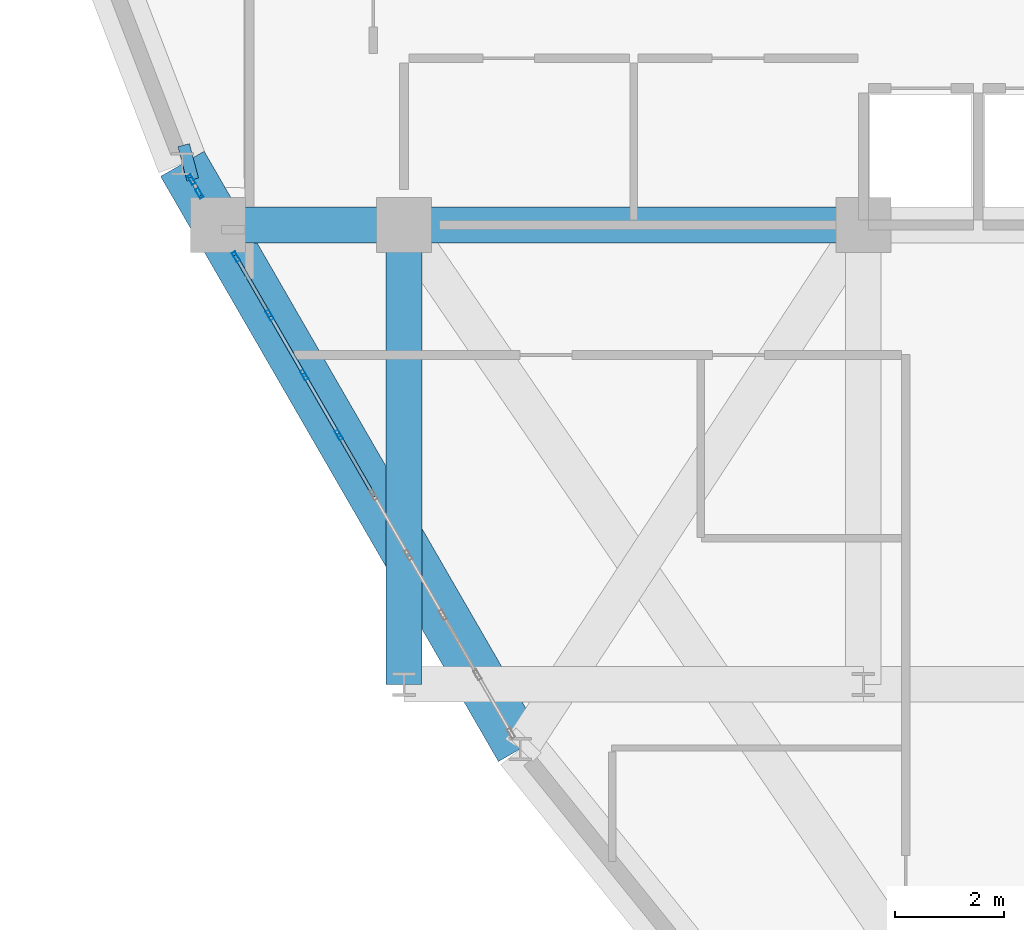
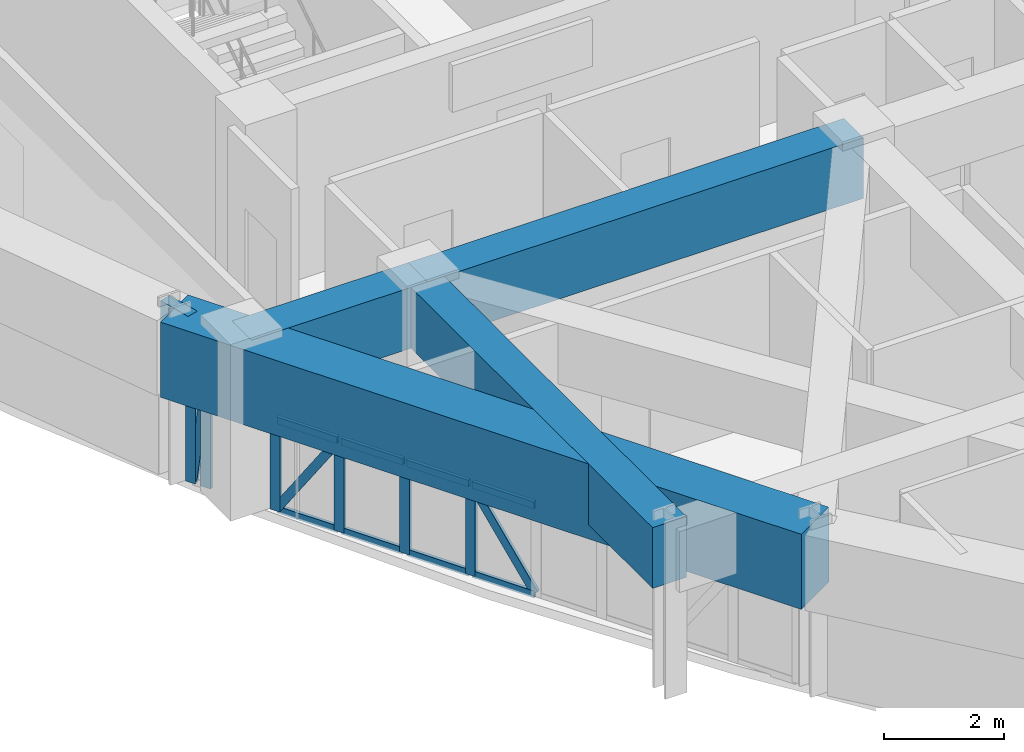
# One storey, part 4 of 16: 17 members, 5 beams, 2 elements without a shape of their own.
"""IFC4 building model written with IfcOpenShell, lengths in metres."""

import ifcopenshell
import ifcopenshell.guid

model = None  # the IFC model being written
_history = None  # IfcOwnerHistory: only IFC2X3 demands one
_inside = {}  # id of a spatial element -> (the spatial element, [elements in it])
_under = {}  # id of a project, library or spatial element -> (it, [spatial elements below it])
_declared = {}  # id of a project -> (the project, [libraries it declares])
_typed = {}  # id of a type object -> (the type object, [elements of that type])
_made_of = {}  # id of a material, layer set ... -> (it, [elements and type objects made of it])


def new_model(schema):
    """Start an empty IFC model of exactly this schema.

    Asked for "IFC4X3", IfcOpenShell would pick the latest addendum, in which some entities
    have other attributes; the version numbers below select the first issue.
    IFC2X3 requires an IfcOwnerHistory on every rooted entity: one is made here for all.
    """
    global model, _history
    if schema == "IFC4X3":
        model = ifcopenshell.file(schema_version=(4, 3, 0, 0))
    else:
        model = ifcopenshell.file(schema=schema)
    _inside.clear()
    _under.clear()
    _declared.clear()
    _typed.clear()
    _made_of.clear()
    _history = None
    if model.schema == "IFC2X3":
        org = make("IfcOrganization", Name="unknown")
        user = make(
            "IfcPersonAndOrganization",
            ThePerson=make("IfcPerson", FamilyName="unknown"),
            TheOrganization=org,
        )
        app = make(
            "IfcApplication",
            ApplicationDeveloper=org,
            Version="unknown",
            ApplicationFullName="unknown",
            ApplicationIdentifier="unknown",
        )
        _history = make(
            "IfcOwnerHistory",
            OwningUser=user,
            OwningApplication=app,
            ChangeAction="ADDED",
            CreationDate=0,
        )
    return model


def make(cls, **values):
    """One entity of the class cls with the attributes given. An attribute that is None is left unset."""
    return model.create_entity(
        cls, **{name: value for name, value in values.items() if value is not None}
    )


def rooted(cls, **values):
    """An entity with a GlobalId (a new one), such as an element, a storey or a relation."""
    return make(cls, GlobalId=ifcopenshell.guid.new(), OwnerHistory=_history, **values)


def si_unit(unit_type, name, prefix=None):
    """IfcSIUnit, for example si_unit("LENGTHUNIT", "METRE", prefix="MILLI")."""
    return make("IfcSIUnit", UnitType=unit_type, Prefix=prefix, Name=name)


def derived_unit(unit_type, elements):
    """IfcDerivedUnit: a product of units, each with its exponent."""
    return make(
        "IfcDerivedUnit",
        Elements=[
            make("IfcDerivedUnitElement", Unit=unit, Exponent=power)
            for unit, power in elements
        ],
        UnitType=unit_type,
    )


def assignment(units):
    """IfcUnitAssignment: the units of a project."""
    return None if units is None else make("IfcUnitAssignment", Units=units)


def point(xyz):
    """IfcCartesianPoint."""
    return None if xyz is None else make("IfcCartesianPoint", Coordinates=xyz)


def direction(xyz):
    """IfcDirection."""
    return None if xyz is None else make("IfcDirection", DirectionRatios=xyz)


def frame(location, z_axis=None, x_axis=None):
    """IfcAxis2Placement3D, a coordinate frame: its origin and axes. An axis left out is left unset."""
    return make(
        "IfcAxis2Placement3D",
        Location=point(location),
        Axis=direction(z_axis),
        RefDirection=direction(x_axis),
    )


def frame_2d(location, x_axis=None):
    """IfcAxis2Placement2D, a coordinate frame in the plane: its origin and x axis."""
    return make(
        "IfcAxis2Placement2D", Location=point(location), RefDirection=direction(x_axis)
    )


def origin():
    """The frame at (0, 0, 0) with its axes left unset."""
    return frame((0.0, 0.0, 0.0))


def origin_2d():
    """The frame at (0, 0) in the plane with its x axis left unset."""
    return frame_2d((0.0, 0.0))


def place(relative_to, where):
    """IfcLocalPlacement: puts the frame where relative to a parent placement (None: the world)."""
    return make(
        "IfcLocalPlacement", PlacementRelTo=relative_to, RelativePlacement=where
    )


def context(
    kind, dimensions, precision=None, world=None, true_north=None, identifier=None
):
    """IfcGeometricRepresentationContext, for example the 3D "Model" context."""
    return make(
        "IfcGeometricRepresentationContext",
        ContextIdentifier=identifier,
        ContextType=kind,
        CoordinateSpaceDimension=dimensions,
        Precision=precision,
        WorldCoordinateSystem=world,
        TrueNorth=true_north,
    )


def subcontext(parent, identifier, kind, view, scale=None):
    """IfcGeometricRepresentationSubContext, for example "Body" below "Model"."""
    return make(
        "IfcGeometricRepresentationSubContext",
        ContextIdentifier=identifier,
        ContextType=kind,
        ParentContext=parent,
        TargetScale=scale,
        TargetView=view,
    )


def project(units=None, contexts=None):
    """IfcProject with its units and contexts."""
    return rooted(
        "IfcProject",
        Name="project",
        RepresentationContexts=contexts,
        UnitsInContext=assignment(units),
    )


def spatial(cls, under=None, at=None, **own):
    """A site, building, storey or space (cls), placed at a placement, below another one or the project."""
    s = rooted(cls, ObjectPlacement=at, **own)
    if under is not None:
        _under.setdefault(under.id(), (under, []))[1].append(s)
    return s


def profile(cls, at=None, kind="AREA", **sizes):
    """A parametric profile (cls). Its sizes go by their IFC names, for example OverallWidth=200.0."""
    return make(cls, ProfileType=kind, Position=at, **sizes)


def rectangle(**sizes):
    """IfcRectangleProfileDef."""
    return profile("IfcRectangleProfileDef", **sizes)


def hollow_rectangle(**sizes):
    """IfcRectangleHollowProfileDef."""
    return profile("IfcRectangleHollowProfileDef", **sizes)


def extrude(swept, where, along, depth):
    """IfcExtrudedAreaSolid: the profile swept, set in the frame where, extruded along a direction by depth."""
    return make(
        "IfcExtrudedAreaSolid",
        SweptArea=swept,
        Position=where,
        ExtrudedDirection=direction(along),
        Depth=depth,
    )


def shape(context_of_items, identifier, shape_type, items):
    """IfcShapeRepresentation: the items that make up one representation, for example the "Body"."""
    return make(
        "IfcShapeRepresentation",
        ContextOfItems=context_of_items,
        RepresentationIdentifier=identifier,
        RepresentationType=shape_type,
        Items=items,
    )


def source(mapping_origin, context_of_items, identifier, shape_type, items):
    """IfcRepresentationMap: a shape defined once, which mapped items show again and again."""
    return make(
        "IfcRepresentationMap",
        MappingOrigin=mapping_origin,
        MappedRepresentation=shape(context_of_items, identifier, shape_type, items),
    )


def transform(
    local_origin,
    x_axis=None,
    y_axis=None,
    z_axis=None,
    scale=None,
    scale2=None,
    scale3=None,
    uniform=True,
):
    """IfcCartesianTransformationOperator3D, or its non-uniform kind. x_axis, y_axis, z_axis: its Axis1, 2, 3."""
    if uniform:
        return make(
            "IfcCartesianTransformationOperator3D",
            Axis1=direction(x_axis),
            Axis2=direction(y_axis),
            LocalOrigin=point(local_origin),
            Scale=scale,
            Axis3=direction(z_axis),
        )
    return make(
        "IfcCartesianTransformationOperator3DnonUniform",
        Axis1=direction(x_axis),
        Axis2=direction(y_axis),
        LocalOrigin=point(local_origin),
        Scale=scale,
        Axis3=direction(z_axis),
        Scale2=scale2,
        Scale3=scale3,
    )


def mapped(mapping_source, mapping_target):
    """IfcMappedItem: shows the shape of a source again, moved by a transform."""
    return make(
        "IfcMappedItem", MappingSource=mapping_source, MappingTarget=mapping_target
    )


def material(Name=None, Category=None):
    """IfcMaterial."""
    return make("IfcMaterial", Name=Name, Category=Category)


def layer(
    of_material, thickness, ventilated=None, Name=None, Category=None, Priority=None
):
    """IfcMaterialLayer: one layer of a wall or slab, of a material (None: an air gap)."""
    return make(
        "IfcMaterialLayer",
        Material=of_material,
        LayerThickness=thickness,
        IsVentilated=ventilated,
        Name=Name,
        Category=Category,
        Priority=Priority,
    )


def layer_set(layers, Name=None):
    """IfcMaterialLayerSet."""
    return make("IfcMaterialLayerSet", MaterialLayers=layers, LayerSetName=Name)


def material_profile(
    of_material, cross_section, Name=None, Category=None, Priority=None
):
    """IfcMaterialProfile: a cross section and its material."""
    return make(
        "IfcMaterialProfile",
        Name=Name,
        Material=of_material,
        Profile=cross_section,
        Priority=Priority,
        Category=Category,
    )


def profile_set(profiles, Name=None, composite=None):
    """IfcMaterialProfileSet."""
    return make(
        "IfcMaterialProfileSet",
        Name=Name,
        MaterialProfiles=profiles,
        CompositeProfile=composite,
    )


def made_of(thing, what):
    """Note that an element or type object is made of a material, layer set ...; save() writes the relation."""
    if what is not None:
        _made_of.setdefault(what.id(), (what, []))[1].append(thing)
    return thing


def type_object(cls, material=None, **own):
    """A type object (cls), such as IfcWallType, which elements share."""
    return made_of(rooted(cls, **own), material)


def element(
    cls,
    number,
    at=None,
    inside=None,
    cuts=None,
    type_object=None,
    material=None,
    context=None,
    identifier="Body",
    shape_type=None,
    held_by="IfcProductDefinitionShape",
    body=None,
    shapes=None,
    **own,
):
    """One element of the class cls, such as IfcWall. Its Tag is "e" and its number.

    at: its placement. inside: the storey or other place that contains it. cuts: it is an
    opening in that element (IfcRelVoidsElement). A single representation is given by context,
    identifier, shape_type and body (its items); several are given by shapes. held_by: the class
    of the entity that holds the representations. save() writes the other relations.
    """
    e = rooted(cls, Tag="e%d" % number, ObjectPlacement=at, **own)
    if body is not None:
        shapes = [shape(context, identifier, shape_type, body)]
    if shapes is not None:
        e.Representation = make(held_by, Representations=shapes)
    if inside is not None:
        _inside.setdefault(inside.id(), (inside, []))[1].append(e)
    if cuts is not None:
        rooted(
            "IfcRelVoidsElement", RelatingBuildingElement=cuts, RelatedOpeningElement=e
        )
    if type_object is not None:
        _typed.setdefault(type_object.id(), (type_object, []))[1].append(e)
    return made_of(e, material)


def aggregate(whole, parts):
    """IfcRelAggregates: a whole, such as a stair, and the parts it consists of."""
    return rooted("IfcRelAggregates", RelatingObject=whole, RelatedObjects=parts)


def save(model, path):
    """Write the relations noted so far, then the file.

    IfcRelAggregates (storeys below a building ...), IfcRelContainedInSpatialStructure (elements
    in a storey), IfcRelDefinesByType, IfcRelAssociatesMaterial and IfcRelDeclares: one each for
    every whole, place, type object, material and project.
    """
    for whole, parts in _under.values():
        aggregate(whole, parts)
    for where, things in _inside.values():
        rooted(
            "IfcRelContainedInSpatialStructure",
            RelatedElements=things,
            RelatingStructure=where,
        )
    for kind, things in _typed.values():
        rooted("IfcRelDefinesByType", RelatedObjects=things, RelatingType=kind)
    for what, things in _made_of.values():
        rooted("IfcRelAssociatesMaterial", RelatedObjects=things, RelatingMaterial=what)
    for by, libraries in _declared.values():
        rooted("IfcRelDeclares", RelatingContext=by, RelatedDefinitions=libraries)
    model.write(path)


model = new_model("IFC4")

# Units and contexts
model_context = context("Model", 3, precision=1e-05, world=origin(), true_north=direction((0.0, 1.0)))
body_context = subcontext(model_context, "Body", "Model", "MODEL_VIEW")
ifc_project = project(units=[si_unit("LENGTHUNIT", "METRE"), si_unit("AREAUNIT", "SQUARE_METRE"), si_unit("VOLUMEUNIT", "CUBIC_METRE"), si_unit("PLANEANGLEUNIT", "RADIAN"), si_unit("MASSUNIT", "GRAM", prefix="KILO"), derived_unit("THERMALTRANSMITTANCEUNIT", [(si_unit("POWERUNIT", "WATT"), 1), (si_unit("LENGTHUNIT", "METRE"), -2), (si_unit("THERMODYNAMICTEMPERATUREUNIT", "KELVIN"), -1)])], contexts=[model_context])

# Site, building, storey
site_placement = place(None, origin())
site = spatial("IfcSite", under=ifc_project, at=site_placement, CompositionType="ELEMENT")
building_placement = place(site_placement, origin())
building = spatial("IfcBuilding", under=site, at=building_placement, Name="Korsvarv Bourse and Concert Hall", CompositionType="ELEMENT")
storey_placement = place(building_placement, frame((0.0, 0.0, 213.0)))
storey = spatial("IfcBuildingStorey", under=building, at=storey_placement, Name="L55", CompositionType="ELEMENT", Elevation=213.0)

# Beams
ifc_material_1 = material(Name="Concrete C50/60", Category="concrete")
ifc_material_profile_1 = material_profile(ifc_material_1, rectangle(XDim=0.64990234375, YDim=1.239990234375, at=origin_2d()), Name="RC-BM 650x1240")
ifc_profile_set_1 = profile_set([ifc_material_profile_1], Name="Concrete C50/60")
beam_type_1 = type_object("IfcBeamType", Name="BM-TR-SPN", PredefinedType="BEAM", material=ifc_profile_set_1)
shared_shape_1 = source(origin(), body_context, "Body", "SweptSolid", [
    extrude(rectangle(XDim=0.64990234375, YDim=1.239990234375, at=origin_2d()), origin(), (0.0, 0.0, 1.0), 3.400146484375),
])
beam_1_placement = place(storey_placement, frame((24.199951171875, 32.39990234375, 2.7900390625), z_axis=(1.0, 0.0, 0.0), x_axis=(0.0, 1.0, 0.0)))
element("IfcBeam", 1, at=beam_1_placement, inside=storey, type_object=beam_type_1, Name="L55 beam B-TRS", PredefinedType="BEAM", context=body_context, shape_type="MappedRepresentation", body=[
    mapped(shared_shape_1, transform((0.0, 0.0, 0.0), scale=1.0)),
])
shared_shape_2 = source(origin(), body_context, "Body", "SweptSolid", [
    extrude(rectangle(XDim=0.64990234375, YDim=1.239990234375, at=origin_2d()), origin(), (0.0, 0.0, 1.0), 8.39990234375),
])
for number, where, z_axis, x_axis, name in (
    (2, (27.60009765625, 32.39990234375, 2.7900390625), (1.0, 0.0, 0.0), (0.0, 1.0, 0.0), "L55 beam B-TRS"),
    (3, (27.60009765625, 24.0, 2.7900390625), (0.0, 1.0, 0.0), (-1.0, 0.0, 0.0), "L55 beam B-TRS"),
):
    element("IfcBeam", number, at=place(storey_placement, frame(where, z_axis=z_axis, x_axis=x_axis)), inside=storey, type_object=beam_type_1, Name=name, PredefinedType="BEAM", context=body_context, shape_type="MappedRepresentation", body=[
        mapped(shared_shape_2, transform((0.0, 0.0, 0.0), scale=1.0)),
    ])
ifc_material_profile_2 = material_profile(ifc_material_1, rectangle(XDim=0.919921875, YDim=1.530029296875, at=origin_2d()), Name="RC-BM 920x1530")
ifc_profile_set_2 = profile_set([ifc_material_profile_2], Name="Concrete C50/60")
beam_type_2 = type_object("IfcBeamType", Name="BM-TR-154", PredefinedType="BEAM", material=ifc_profile_set_2)
shared_shape_3 = source(origin(), body_context, "Body", "SweptSolid", [
    extrude(rectangle(XDim=0.919921875, YDim=1.530029296875, at=origin_2d()), origin(), (0.0, 0.0, 1.0), 12.353271484375),
])
beam_2_placement = place(storey_placement, frame((23.548095703125, 33.518310546875, 2.64501953125), z_axis=(0.500007577232, -0.866021029023, 0.0), x_axis=(0.866021029023, 0.500007577232, 0.0)))
element("IfcBeam", 4, at=beam_2_placement, inside=storey, type_object=beam_type_2, Name="L55 beam B-TR6", PredefinedType="BEAM", context=body_context, shape_type="MappedRepresentation", body=[
    mapped(shared_shape_3, transform((0.0, 0.0, 0.0), scale=1.0)),
])
shared_shape_4 = source(origin(), body_context, "Body", "SweptSolid", [
    extrude(rectangle(XDim=0.64990234375, YDim=1.239990234375, at=origin_2d()), origin(), (0.0, 0.0, 1.0), 0.2197265625),
])
beam_3_placement = place(storey_placement, frame((23.548095703125, 33.518310546875, 2.7900390625), z_axis=(0.967060137226, 0.254548013132, 0.0), x_axis=(-0.254548013132, 0.967060137226, 0.0)))
element("IfcBeam", 5, at=beam_3_placement, inside=storey, type_object=beam_type_1, Name="L55 beam B-TRS", PredefinedType="BEAM", context=body_context, shape_type="MappedRepresentation", body=[
    mapped(shared_shape_4, transform((0.0, 0.0, 0.0), scale=1.0)),
])

# Curtain wall, members
ifc_material_2 = material(Name="Anodised aluminium and triple low-E glazing", Category="glass")
ifc_layer = layer(ifc_material_2, 0.199951171875)
ifc_layer_set = layer_set([ifc_layer], Name="Anodised aluminium and triple low-E glazing")
curtain_wall_type = type_object("IfcCurtainWallType", Name="CW-SYS-3", PredefinedType="NOTDEFINED", material=ifc_layer_set)
curtain_wall_1_placement = place(storey_placement, origin())
curtain_wall_1 = element("IfcCurtainWall", 6, at=curtain_wall_1_placement, inside=storey, type_object=curtain_wall_type, Name="L55 CW3 curtain wall CW-L55-F07-1", PredefinedType="NOTDEFINED")
ifc_material_3 = material(Name="Extruded aluminium EN AW-6063 T66", Category="aluminium")
ifc_material_profile_3 = material_profile(ifc_material_3, hollow_rectangle(XDim=0.070068359375, YDim=0.18994140625, WallThickness=0.0048828125, at=origin_2d()), Name="ALU-M 70x190")
ifc_profile_set_3 = profile_set([ifc_material_profile_3], Name="Extruded aluminium EN AW-6063 T66")
member_type_1 = type_object("IfcMemberType", Name="CWM-190", PredefinedType="MULLION", material=ifc_profile_set_3)
shared_shape_5 = source(origin(), body_context, "Body", "SweptSolid", [
    extrude(hollow_rectangle(XDim=0.070068359375, YDim=0.18994140625, WallThickness=0.0048828125, at=origin_2d()), origin(), (0.0, 0.0, 1.0), 1.8798828125),
])
member_1_placement = place(storey_placement, frame((23.714599609375, 33.22998046875, 0.0), z_axis=(0.0, 0.0, 1.0), x_axis=(0.866087988372, 0.499891584645, 0.0)))
member_1 = element("IfcMember", 7, at=member_1_placement, type_object=member_type_1, Name="CW3 mullion 1", PredefinedType="MULLION", context=body_context, shape_type="MappedRepresentation", body=[
    mapped(shared_shape_5, transform((0.0, 0.0, 0.0), scale=1.0)),
])
member_2_placement = place(storey_placement, frame((23.85888671875, 32.980224609375, 0.0), z_axis=(0.0, 0.0, 1.0), x_axis=(0.866087988372, 0.499891584645, 0.0)))
member_2 = element("IfcMember", 8, at=member_2_placement, type_object=member_type_1, Name="CW3 mullion 2", PredefinedType="MULLION", context=body_context, shape_type="MappedRepresentation", body=[
    mapped(shared_shape_5, transform((0.0, 0.0, 0.0), scale=1.0)),
])

curtain_wall_2_placement = place(storey_placement, origin())
curtain_wall_2 = element("IfcCurtainWall", 9, at=curtain_wall_2_placement, inside=storey, type_object=curtain_wall_type, Name="L55 CW3 curtain wall CW-L55-F07-2", PredefinedType="NOTDEFINED")
member_3_placement = place(storey_placement, frame((24.52880859375, 31.819580078125, 0.0), z_axis=(0.0, 0.0, 1.0), x_axis=(0.866026111776, 0.49999877372, 0.0)))
member_3 = element("IfcMember", 10, at=member_3_placement, type_object=member_type_1, Name="CW3 mullion 1", PredefinedType="MULLION", context=body_context, shape_type="MappedRepresentation", body=[
    mapped(shared_shape_5, transform((0.0, 0.0, 0.0), scale=1.0)),
])
member_4_placement = place(storey_placement, frame((25.14453125, 30.75341796875, 0.0), z_axis=(0.0, 0.0, 1.0), x_axis=(0.866026111776, 0.49999877372, 0.0)))
member_4 = element("IfcMember", 11, at=member_4_placement, type_object=member_type_1, Name="CW3 mullion 2", PredefinedType="MULLION", context=body_context, shape_type="MappedRepresentation", body=[
    mapped(shared_shape_5, transform((0.0, 0.0, 0.0), scale=1.0)),
])
member_5_placement = place(storey_placement, frame((25.777587890625, 29.656982421875, 0.0), z_axis=(0.0, 0.0, 1.0), x_axis=(0.866026111776, 0.49999877372, 0.0)))
member_5 = element("IfcMember", 12, at=member_5_placement, type_object=member_type_1, Name="CW3 mullion 3", PredefinedType="MULLION", context=body_context, shape_type="MappedRepresentation", body=[
    mapped(shared_shape_5, transform((0.0, 0.0, 0.0), scale=1.0)),
])
member_6_placement = place(storey_placement, frame((26.41064453125, 28.560546875, 0.0), z_axis=(0.0, 0.0, 1.0), x_axis=(0.866026111776, 0.49999877372, 0.0)))
member_6 = element("IfcMember", 13, at=member_6_placement, type_object=member_type_1, Name="CW3 mullion 4", PredefinedType="MULLION", context=body_context, shape_type="MappedRepresentation", body=[
    mapped(shared_shape_5, transform((0.0, 0.0, 0.0), scale=1.0)),
])

# Member
ifc_material_profile_4 = material_profile(ifc_material_3, hollow_rectangle(XDim=0.06494140625, YDim=0.1650390625, WallThickness=0.0048828125, at=origin_2d()), Name="ALU-M 65x165")
ifc_profile_set_4 = profile_set([ifc_material_profile_4], Name="Extruded aluminium EN AW-6063 T66")
member_type_2 = type_object("IfcMemberType", Name="CWM-165", PredefinedType="MULLION", material=ifc_profile_set_4)
shared_shape_6 = source(origin(), body_context, "Body", "SweptSolid", [
    extrude(hollow_rectangle(XDim=0.06494140625, YDim=0.1650390625, WallThickness=0.0048828125, at=origin_2d()), origin(), (0.0, 0.0, 1.0), 1.763671875),
])
member_7_placement = place(storey_placement, frame((23.732177734375, 33.19970703125, 0.06494140625), z_axis=(0.061881266504, -0.107150112469, 0.992315253462), x_axis=(0.865961984968, 0.500109828528, 0.0)))
member_7 = element("IfcMember", 14, at=member_7_placement, type_object=member_type_2, Name="CW3 diagonal mullion 1", PredefinedType="MULLION", context=body_context, shape_type="MappedRepresentation", body=[
    mapped(shared_shape_6, transform((0.0, 0.0, 0.0), scale=1.0)),
])

aggregate(curtain_wall_1, [member_1, member_2, member_7])

ifc_material_profile_5 = material_profile(ifc_material_3, hollow_rectangle(XDim=0.06494140625, YDim=0.139892578125, WallThickness=0.00390625, at=origin_2d()), Name="ALU-T 65x140")
ifc_profile_set_5 = profile_set([ifc_material_profile_5], Name="Extruded aluminium EN AW-6063 T66")
member_type_3 = type_object("IfcMemberType", Name="CWT-140", PredefinedType="USERDEFINED", material=ifc_profile_set_5)
shared_shape_7 = source(origin(), body_context, "Body", "SweptSolid", [
    extrude(hollow_rectangle(XDim=0.06494140625, YDim=0.139892578125, WallThickness=0.00390625, at=origin_2d()), origin(), (0.0, 0.0, 1.0), 1.1611328125),
])
member_8_placement = place(storey_placement, frame((24.54638671875, 31.789306640625, 0.032470703125), z_axis=(0.499983322773, -0.866035032172, 0.0), x_axis=(0.866035032172, 0.499983322773, 0.0)))
member_8 = element("IfcMember", 15, at=member_8_placement, type_object=member_type_3, Name="CW3 transom 1.1", ObjectType="TRANSOM", PredefinedType="USERDEFINED", context=body_context, shape_type="MappedRepresentation", body=[
    mapped(shared_shape_7, transform((0.0, 0.0, 0.0), scale=1.0)),
])

member_9_placement = place(storey_placement, frame((24.54638671875, 31.789306640625, 1.847412109375), z_axis=(0.499983322773, -0.866035032172, 0.0), x_axis=(0.866035032172, 0.499983322773, 0.0)))
member_9 = element("IfcMember", 16, at=member_9_placement, type_object=member_type_3, Name="CW3 transom 1.2", ObjectType="TRANSOM", PredefinedType="USERDEFINED", context=body_context, shape_type="MappedRepresentation", body=[
    mapped(shared_shape_7, transform((0.0, 0.0, 0.0), scale=1.0)),
])

shared_shape_8 = source(origin(), body_context, "Body", "SweptSolid", [
    extrude(hollow_rectangle(XDim=0.06494140625, YDim=0.1650390625, WallThickness=0.0048828125, at=origin_2d()), origin(), (0.0, 0.0, 1.0), 2.10009765625),
])
member_10_placement = place(storey_placement, frame((24.54638671875, 31.789306640625, 0.06494140625), z_axis=(0.276434514704, -0.478819918446, 0.83325592994), x_axis=(0.866035032172, 0.499983322773, 0.0)))
member_10 = element("IfcMember", 17, at=member_10_placement, type_object=member_type_2, Name="CW3 diagonal mullion 1", PredefinedType="MULLION", context=body_context, shape_type="MappedRepresentation", body=[
    mapped(shared_shape_8, transform((0.0, 0.0, 0.0), scale=1.0)),
])

shared_shape_9 = source(origin(), body_context, "Body", "SweptSolid", [
    extrude(hollow_rectangle(XDim=0.06494140625, YDim=0.139892578125, WallThickness=0.00390625, at=origin_2d()), origin(), (0.0, 0.0, 1.0), 1.1962890625),
])
member_11_placement = place(storey_placement, frame((25.161865234375, 30.72314453125, 0.032470703125), z_axis=(0.500046351717, -0.865998640954, 0.0), x_axis=(0.865998640954, 0.500046351717, 0.0)))
member_11 = element("IfcMember", 18, at=member_11_placement, type_object=member_type_3, Name="CW3 transom 2.1", ObjectType="TRANSOM", PredefinedType="USERDEFINED", context=body_context, shape_type="MappedRepresentation", body=[
    mapped(shared_shape_9, transform((0.0, 0.0, 0.0), scale=1.0)),
])

member_12_placement = place(storey_placement, frame((25.161865234375, 30.72314453125, 1.847412109375), z_axis=(0.500046351717, -0.865998640954, 0.0), x_axis=(0.865998640954, 0.500046351717, 0.0)))
member_12 = element("IfcMember", 19, at=member_12_placement, type_object=member_type_3, Name="CW3 transom 2.2", ObjectType="TRANSOM", PredefinedType="USERDEFINED", context=body_context, shape_type="MappedRepresentation", body=[
    mapped(shared_shape_9, transform((0.0, 0.0, 0.0), scale=1.0)),
])

member_13_placement = place(storey_placement, frame((25.794921875, 29.626708984375, 0.032470703125), z_axis=(0.500046351717, -0.865998640954, 0.0), x_axis=(0.865998640954, 0.500046351717, 0.0)))
member_13 = element("IfcMember", 20, at=member_13_placement, type_object=member_type_3, Name="CW3 transom 3.1", ObjectType="TRANSOM", PredefinedType="USERDEFINED", context=body_context, shape_type="MappedRepresentation", body=[
    mapped(shared_shape_9, transform((0.0, 0.0, 0.0), scale=1.0)),
])

member_14_placement = place(storey_placement, frame((25.794921875, 29.626708984375, 1.847412109375), z_axis=(0.500046351717, -0.865998640954, 0.0), x_axis=(0.865998640954, 0.500046351717, 0.0)))
member_14 = element("IfcMember", 21, at=member_14_placement, type_object=member_type_3, Name="CW3 transom 3.2", ObjectType="TRANSOM", PredefinedType="USERDEFINED", context=body_context, shape_type="MappedRepresentation", body=[
    mapped(shared_shape_9, transform((0.0, 0.0, 0.0), scale=1.0)),
])

member_15_placement = place(storey_placement, frame((26.427978515625, 28.5302734375, 0.032470703125), z_axis=(0.500046351717, -0.865998640954, 0.0), x_axis=(0.865998640954, 0.500046351717, 0.0)))
member_15 = element("IfcMember", 22, at=member_15_placement, type_object=member_type_3, Name="CW3 transom 4.1", ObjectType="TRANSOM", PredefinedType="USERDEFINED", context=body_context, shape_type="MappedRepresentation", body=[
    mapped(shared_shape_9, transform((0.0, 0.0, 0.0), scale=1.0)),
])

member_16_placement = place(storey_placement, frame((26.427978515625, 28.5302734375, 1.847412109375), z_axis=(0.500046351717, -0.865998640954, 0.0), x_axis=(0.865998640954, 0.500046351717, 0.0)))
member_16 = element("IfcMember", 23, at=member_16_placement, type_object=member_type_3, Name="CW3 transom 4.2", ObjectType="TRANSOM", PredefinedType="USERDEFINED", context=body_context, shape_type="MappedRepresentation", body=[
    mapped(shared_shape_9, transform((0.0, 0.0, 0.0), scale=1.0)),
])

shared_shape_10 = source(origin(), body_context, "Body", "SweptSolid", [
    extrude(hollow_rectangle(XDim=0.06494140625, YDim=0.1650390625, WallThickness=0.0048828125, at=origin_2d()), origin(), (0.0, 0.0, 1.0), 2.11962890625),
])
member_17_placement = place(storey_placement, frame((27.026123046875, 27.494384765625, 0.06494140625), z_axis=(-0.282176854628, 0.488684242524, 0.825568854682), x_axis=(-0.865998640954, -0.500046351717, 0.0)))
member_17 = element("IfcMember", 24, at=member_17_placement, type_object=member_type_2, Name="CW3 diagonal mullion 4", PredefinedType="MULLION", context=body_context, shape_type="MappedRepresentation", body=[
    mapped(shared_shape_10, transform((0.0, 0.0, 0.0), scale=1.0)),
])

aggregate(curtain_wall_2, [member_3, member_4, member_5, member_6, member_8, member_9, member_10, member_11, member_12, member_13, member_14, member_15, member_16, member_17])

save(model, "model.ifc")
